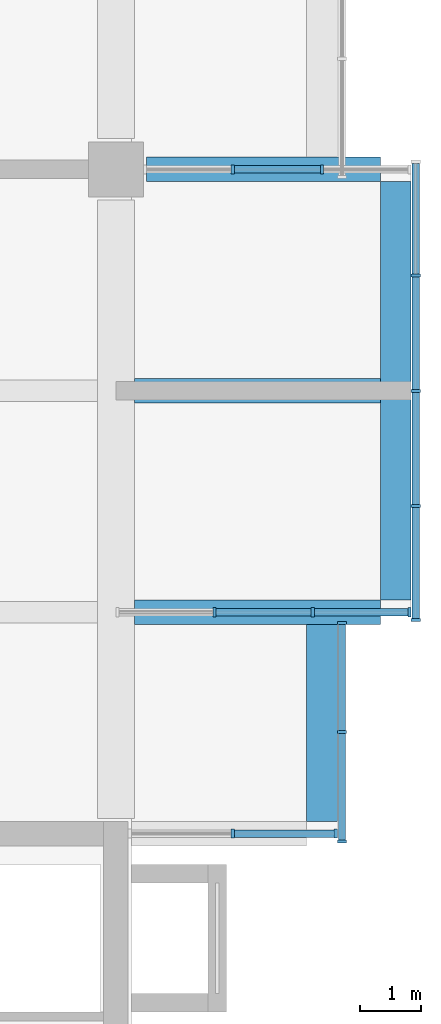
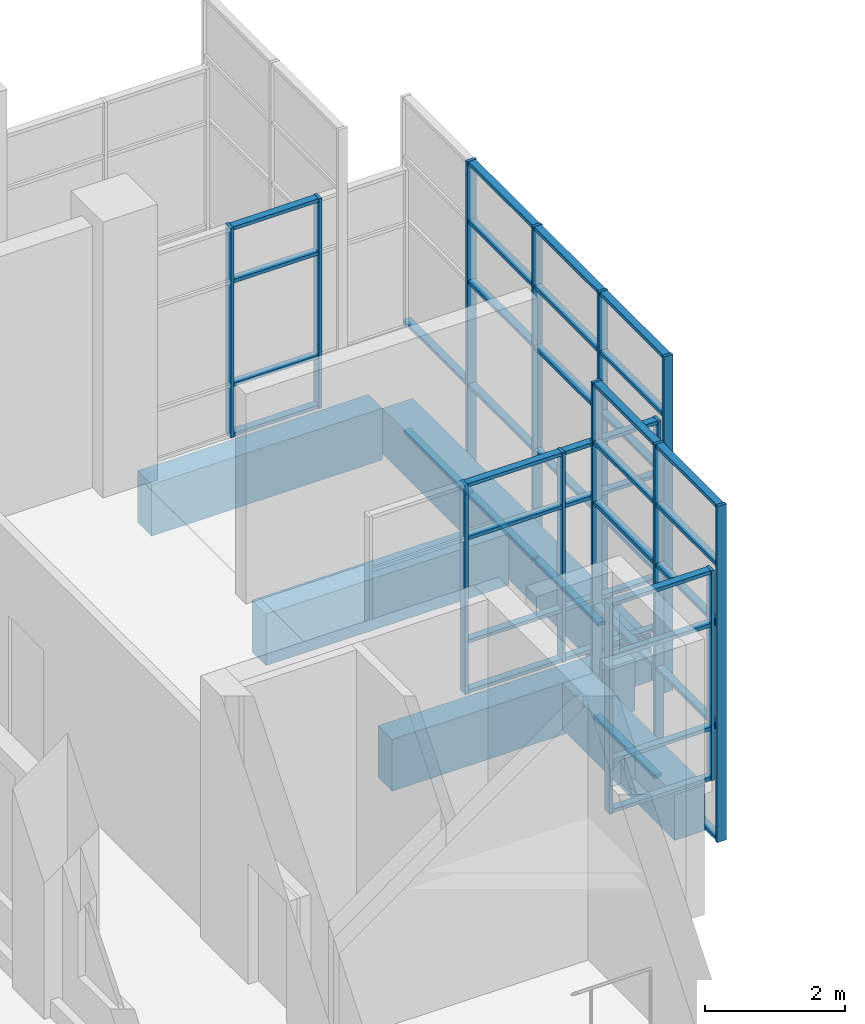
# One storey, part 15 of 32: 57 members, 6 beams, 5 elements without a shape of their own.
"""IFC4 building model written with IfcOpenShell, lengths in metres."""

from ifc_helpers import new_model, si_unit, direction, frame, origin, origin_2d, place, context, subcontext, project, spatial, rectangle, extrude, material, layer, layer_set, material_profile, profile_set, type_object, element, aggregate, save


model = new_model("IFC4")

# Units and contexts
model_context = context("Model", 3, precision=1e-05, world=origin(), true_north=direction((0.0, 1.0)))
body_context = subcontext(model_context, "Body", "Model", "MODEL_VIEW")
ifc_project = project(units=[si_unit("LENGTHUNIT", "METRE"), si_unit("AREAUNIT", "SQUARE_METRE"), si_unit("VOLUMEUNIT", "CUBIC_METRE"), si_unit("PLANEANGLEUNIT", "RADIAN"), si_unit("MASSUNIT", "GRAM", prefix="KILO")], contexts=[model_context])

# Site, building, storey
site_placement = place(None, origin())
site = spatial("IfcSite", under=ifc_project, at=site_placement, CompositionType="ELEMENT")
building_placement = place(site_placement, origin())
building = spatial("IfcBuilding", under=site, at=building_placement, Name="Basin Gate Institute", CompositionType="ELEMENT")
storey_placement = place(building_placement, frame((0.0, 0.0, 41.39990234375)))
storey = spatial("IfcBuildingStorey", under=building, at=storey_placement, Name="L08", CompositionType="ELEMENT", Elevation=41.39990234375)

# Beams
ifc_material_1 = material(Name="Concrete 50 MPa", Category="concrete")
ifc_material_profile_1 = material_profile(ifc_material_1, rectangle(XDim=0.39990234375, YDim=0.89990234375, at=origin_2d()), Name="Cantilever beam B3 400 x 900")
ifc_profile_set_1 = profile_set([ifc_material_profile_1], Name="Concrete 50 MPa")
beam_type_1 = type_object("IfcBeamType", Name="Cantilever beam B3 R120", PredefinedType="BEAM", material=ifc_profile_set_1)
for number, where, z_axis, x_axis, name in (
    (1, (123.10009765625, 49.5, -0.699951171875), (-1.0, 0.0, 0.0), (0.0, -1.0, 0.0), "BEAM/L08/E/CANT/05"),
    (2, (123.10009765625, 53.10009765625, -0.699951171875), (-1.0, 0.0, 0.0), (0.0, -1.0, 0.0), "BEAM/L08/E/CANT/06"),
):
    element("IfcBeam", number, at=place(storey_placement, frame(where, z_axis=z_axis, x_axis=x_axis)), inside=storey, type_object=beam_type_1, material=ifc_profile_set_1, Name=name, PredefinedType="BEAM", context=body_context, shape_type="SweptSolid", body=[
        extrude(rectangle(XDim=0.39990234375, YDim=0.89990234375, at=origin_2d()), origin(), (0.0, 0.0, 1.0), 4.0),
    ])
beam_1_placement = place(storey_placement, frame((123.10009765625, 56.699951171875, -0.699951171875), z_axis=(-1.0, 0.0, 0.0), x_axis=(0.0, -1.0, 0.0)))
element("IfcBeam", 3, at=beam_1_placement, inside=storey, type_object=beam_type_1, material=ifc_profile_set_1, Name="BEAM/L08/E/CANT/07", PredefinedType="BEAM", context=body_context, shape_type="SweptSolid", body=[
    extrude(rectangle(XDim=0.39990234375, YDim=0.89990234375, at=origin_2d()), origin(), (0.0, 0.0, 1.0), 3.800048828125),
])

# Curtain wall, members
ifc_material_2 = material(Name="Aluminium-framed glazing", Category="aluminium")
ifc_layer = layer(ifc_material_2, 0.14990234375)
ifc_layer_set = layer_set([ifc_layer], Name="Capsule front curtain wall CW1")
curtain_wall_type = type_object("IfcCurtainWallType", Name="Capsule front curtain wall CW1", PredefinedType="NOTDEFINED", material=ifc_layer_set)
curtain_wall_1_placement = place(storey_placement, origin())
curtain_wall_1 = element("IfcCurtainWall", 4, at=curtain_wall_1_placement, inside=storey, type_object=curtain_wall_type, material=ifc_layer_set, Name="Capsule front curtain wall E wing capsule end L08 line 4", PredefinedType="NOTDEFINED")
ifc_material_3 = material(Name="Aluminium", Category="aluminium")
ifc_material_profile_2 = material_profile(ifc_material_3, rectangle(XDim=0.14990234375, YDim=0.050048828125, at=origin_2d()), Name="Mullion MU1 150 x 50")
ifc_profile_set_2 = profile_set([ifc_material_profile_2], Name="Aluminium")
member_type_1 = type_object("IfcMemberType", Name="Mullion MU1", PredefinedType="MULLION", material=ifc_profile_set_2)
member_1_placement = place(storey_placement, frame((122.375, 45.89990234375, 0.0), z_axis=(0.0, 0.0, 1.0), x_axis=(0.0, -1.0, 0.0)))
member_1 = element("IfcMember", 5, at=member_1_placement, type_object=member_type_1, material=ifc_profile_set_2, Name="CW1 mullion 1", PredefinedType="MULLION", context=body_context, shape_type="SweptSolid", body=[
    extrude(rectangle(XDim=0.14990234375, YDim=0.050048828125, at=origin_2d()), origin(), (0.0, 0.0, 1.0), 3.650146484375),
])
member_2_placement = place(storey_placement, frame((120.699951171875, 45.89990234375, 0.0), z_axis=(0.0, 0.0, 1.0), x_axis=(0.0, -1.0, 0.0)))
member_2 = element("IfcMember", 6, at=member_2_placement, type_object=member_type_1, material=ifc_profile_set_2, Name="CW1 mullion 2", PredefinedType="MULLION", context=body_context, shape_type="SweptSolid", body=[
    extrude(rectangle(XDim=0.14990234375, YDim=0.050048828125, at=origin_2d()), origin(), (0.0, 0.0, 1.0), 3.650146484375),
])

curtain_wall_2_placement = place(storey_placement, origin())
curtain_wall_2 = element("IfcCurtainWall", 7, at=curtain_wall_2_placement, inside=storey, type_object=curtain_wall_type, material=ifc_layer_set, Name="Capsule front curtain wall E wing capsule end L08 line 5", PredefinedType="NOTDEFINED")
member_3_placement = place(storey_placement, frame((123.574951171875, 49.5, 0.0), z_axis=(0.0, 0.0, 1.0), x_axis=(0.0, -1.0, 0.0)))
member_3 = element("IfcMember", 8, at=member_3_placement, type_object=member_type_1, material=ifc_profile_set_2, Name="CW1 mullion 1", PredefinedType="MULLION", context=body_context, shape_type="SweptSolid", body=[
    extrude(rectangle(XDim=0.14990234375, YDim=0.050048828125, at=origin_2d()), origin(), (0.0, 0.0, 1.0), 3.650146484375),
])
member_4_placement = place(storey_placement, frame((122.0, 49.5, 0.0), z_axis=(0.0, 0.0, 1.0), x_axis=(0.0, -1.0, 0.0)))
member_4 = element("IfcMember", 9, at=member_4_placement, type_object=member_type_1, material=ifc_profile_set_2, Name="CW1 mullion 2", PredefinedType="MULLION", context=body_context, shape_type="SweptSolid", body=[
    extrude(rectangle(XDim=0.14990234375, YDim=0.050048828125, at=origin_2d()), origin(), (0.0, 0.0, 1.0), 3.650146484375),
])
member_5_placement = place(storey_placement, frame((120.39990234375, 49.5, 0.0), z_axis=(0.0, 0.0, 1.0), x_axis=(0.0, -1.0, 0.0)))
member_5 = element("IfcMember", 10, at=member_5_placement, type_object=member_type_1, material=ifc_profile_set_2, Name="CW1 mullion 3", PredefinedType="MULLION", context=body_context, shape_type="SweptSolid", body=[
    extrude(rectangle(XDim=0.14990234375, YDim=0.050048828125, at=origin_2d()), origin(), (0.0, 0.0, 1.0), 3.650146484375),
])

curtain_wall_3_placement = place(storey_placement, origin())
curtain_wall_3 = element("IfcCurtainWall", 11, at=curtain_wall_3_placement, inside=storey, type_object=curtain_wall_type, material=ifc_layer_set, Name="Capsule front curtain wall E wing capsule end L08 line 7", PredefinedType="NOTDEFINED")
member_6_placement = place(storey_placement, frame((122.14990234375, 56.699951171875, 0.0), z_axis=(0.0, 0.0, 1.0), x_axis=(0.0, -1.0, 0.0)))
member_6 = element("IfcMember", 12, at=member_6_placement, type_object=member_type_1, material=ifc_profile_set_2, Name="CW1 mullion 2", PredefinedType="MULLION", context=body_context, shape_type="SweptSolid", body=[
    extrude(rectangle(XDim=0.14990234375, YDim=0.050048828125, at=origin_2d()), origin(), (0.0, 0.0, 1.0), 3.650146484375),
])
member_7_placement = place(storey_placement, frame((120.699951171875, 56.699951171875, 0.0), z_axis=(0.0, 0.0, 1.0), x_axis=(0.0, -1.0, 0.0)))
member_7 = element("IfcMember", 13, at=member_7_placement, type_object=member_type_1, material=ifc_profile_set_2, Name="CW1 mullion 3", PredefinedType="MULLION", context=body_context, shape_type="SweptSolid", body=[
    extrude(rectangle(XDim=0.14990234375, YDim=0.050048828125, at=origin_2d()), origin(), (0.0, 0.0, 1.0), 3.650146484375),
])

curtain_wall_4_placement = place(storey_placement, origin())
curtain_wall_4 = element("IfcCurtainWall", 14, at=curtain_wall_4_placement, inside=storey, type_object=curtain_wall_type, material=ifc_layer_set, Name="Capsule front curtain wall E wing capsule 1 L08 front 1", PredefinedType="NOTDEFINED")
member_8_placement = place(storey_placement, frame((122.47509765625, 45.77490234375, -1.0498046875), z_axis=(0.0, 0.0, 1.0), x_axis=(-1.0, 0.0, 0.0)))
member_8 = element("IfcMember", 15, at=member_8_placement, type_object=member_type_1, material=ifc_profile_set_2, Name="CW1 mullion 1", PredefinedType="MULLION", context=body_context, shape_type="SweptSolid", body=[
    extrude(rectangle(XDim=0.14990234375, YDim=0.050048828125, at=origin_2d()), origin(), (0.0, 0.0, 1.0), 5.849853515625),
])
member_9_placement = place(storey_placement, frame((122.47509765625, 47.550048828125, -1.0498046875), z_axis=(0.0, 0.0, 1.0), x_axis=(-1.0, 0.0, 0.0)))
member_9 = element("IfcMember", 16, at=member_9_placement, type_object=member_type_1, material=ifc_profile_set_2, Name="CW1 mullion 2", PredefinedType="MULLION", context=body_context, shape_type="SweptSolid", body=[
    extrude(rectangle(XDim=0.14990234375, YDim=0.050048828125, at=origin_2d()), origin(), (0.0, 0.0, 1.0), 5.849853515625),
])
member_10_placement = place(storey_placement, frame((122.47509765625, 49.324951171875, -1.0498046875), z_axis=(0.0, 0.0, 1.0), x_axis=(-1.0, 0.0, 0.0)))
member_10 = element("IfcMember", 17, at=member_10_placement, type_object=member_type_1, material=ifc_profile_set_2, Name="CW1 mullion 3", PredefinedType="MULLION", context=body_context, shape_type="SweptSolid", body=[
    extrude(rectangle(XDim=0.14990234375, YDim=0.050048828125, at=origin_2d()), origin(), (0.0, 0.0, 1.0), 5.849853515625),
])

curtain_wall_5_placement = place(storey_placement, origin())
curtain_wall_5 = element("IfcCurtainWall", 18, at=curtain_wall_5_placement, inside=storey, type_object=curtain_wall_type, material=ifc_layer_set, Name="Capsule front curtain wall E wing capsule 1 L08 front 2", PredefinedType="NOTDEFINED")
member_11_placement = place(storey_placement, frame((123.675048828125, 49.375, -1.0498046875), z_axis=(0.0, 0.0, 1.0), x_axis=(-1.0, 0.0, 0.0)))
member_11 = element("IfcMember", 19, at=member_11_placement, type_object=member_type_1, material=ifc_profile_set_2, Name="CW1 mullion 1", PredefinedType="MULLION", context=body_context, shape_type="SweptSolid", body=[
    extrude(rectangle(XDim=0.14990234375, YDim=0.050048828125, at=origin_2d()), origin(), (0.0, 0.0, 1.0), 5.849853515625),
])
member_12_placement = place(storey_placement, frame((123.675048828125, 51.22509765625, -1.0498046875), z_axis=(0.0, 0.0, 1.0), x_axis=(-1.0, 0.0, 0.0)))
member_12 = element("IfcMember", 20, at=member_12_placement, type_object=member_type_1, material=ifc_profile_set_2, Name="CW1 mullion 2", PredefinedType="MULLION", context=body_context, shape_type="SweptSolid", body=[
    extrude(rectangle(XDim=0.14990234375, YDim=0.050048828125, at=origin_2d()), origin(), (0.0, 0.0, 1.0), 5.849853515625),
])
member_13_placement = place(storey_placement, frame((123.675048828125, 53.10009765625, -1.0498046875), z_axis=(0.0, 0.0, 1.0), x_axis=(-1.0, 0.0, 0.0)))
member_13 = element("IfcMember", 21, at=member_13_placement, type_object=member_type_1, material=ifc_profile_set_2, Name="CW1 mullion 3", PredefinedType="MULLION", context=body_context, shape_type="SweptSolid", body=[
    extrude(rectangle(XDim=0.14990234375, YDim=0.050048828125, at=origin_2d()), origin(), (0.0, 0.0, 1.0), 5.849853515625),
])
member_14_placement = place(storey_placement, frame((123.675048828125, 54.97509765625, -1.0498046875), z_axis=(0.0, 0.0, 1.0), x_axis=(-1.0, 0.0, 0.0)))
member_14 = element("IfcMember", 22, at=member_14_placement, type_object=member_type_1, material=ifc_profile_set_2, Name="CW1 mullion 4", PredefinedType="MULLION", context=body_context, shape_type="SweptSolid", body=[
    extrude(rectangle(XDim=0.14990234375, YDim=0.050048828125, at=origin_2d()), origin(), (0.0, 0.0, 1.0), 5.849853515625),
])

# Beams
ifc_material_4 = material(Name="Concrete 50 MPa", Category="concrete")
ifc_material_profile_3 = material_profile(ifc_material_4, rectangle(XDim=0.5, YDim=0.800048828125, at=origin_2d()), Name="Tip beam TB1 500 x 800")
ifc_profile_set_3 = profile_set([ifc_material_profile_3], Name="Concrete 50 MPa")
beam_type_2 = type_object("IfcBeamType", Name="Tip beam TB1 R120", PredefinedType="SPANDREL", material=ifc_profile_set_3)
beam_2_placement = place(storey_placement, frame((122.14990234375, 46.10009765625, -0.64990234375), z_axis=(0.0, 1.0, 0.0), x_axis=(-1.0, 0.0, 0.0)))
element("IfcBeam", 23, at=beam_2_placement, inside=storey, type_object=beam_type_2, material=ifc_profile_set_3, Name="BEAM/L08/E/TIP/1", PredefinedType="SPANDREL", context=body_context, shape_type="SweptSolid", body=[
    extrude(rectangle(XDim=0.5, YDim=0.800048828125, at=origin_2d()), origin(), (0.0, 0.0, 1.0), 3.199951171875),
])
beam_3_placement = place(storey_placement, frame((123.35009765625, 49.699951171875, -0.64990234375), z_axis=(0.0, 1.0, 0.0), x_axis=(-1.0, 0.0, 0.0)))
element("IfcBeam", 24, at=beam_3_placement, inside=storey, type_object=beam_type_2, material=ifc_profile_set_3, Name="BEAM/L08/E/TIP/2", PredefinedType="SPANDREL", context=body_context, shape_type="SweptSolid", body=[
    extrude(rectangle(XDim=0.5, YDim=0.800048828125, at=origin_2d()), origin(), (0.0, 0.0, 1.0), 3.400146484375),
])
beam_4_placement = place(storey_placement, frame((123.35009765625, 53.10009765625, -0.64990234375), z_axis=(0.0, 1.0, 0.0), x_axis=(-1.0, 0.0, 0.0)))
element("IfcBeam", 25, at=beam_4_placement, inside=storey, type_object=beam_type_2, material=ifc_profile_set_3, Name="BEAM/L08/E/TIP/3", PredefinedType="SPANDREL", context=body_context, shape_type="SweptSolid", body=[
    extrude(rectangle(XDim=0.5, YDim=0.800048828125, at=origin_2d()), origin(), (0.0, 0.0, 1.0), 3.39990234375),
])

# Member
ifc_material_5 = material(Name="Aluminium", Category="aluminium")
ifc_material_profile_4 = material_profile(ifc_material_5, rectangle(XDim=0.1201171875, YDim=0.06005859375, at=origin_2d()), Name="Transom TR1 120 x 60")
ifc_profile_set_4 = profile_set([ifc_material_profile_4], Name="Aluminium")
member_type_2 = type_object("IfcMemberType", Name="Transom TR1", PredefinedType="USERDEFINED", material=ifc_profile_set_4)
member_15_placement = place(storey_placement, frame((122.35009765625, 45.89990234375, 0.030029296875), z_axis=(-1.0, 0.0, 0.0), x_axis=(0.0, -1.0, 0.0)))
member_15 = element("IfcMember", 26, at=member_15_placement, type_object=member_type_2, material=ifc_profile_set_4, Name="CW1 transom 1.1", ObjectType="TRANSOM", PredefinedType="USERDEFINED", context=body_context, shape_type="SweptSolid", body=[
    extrude(rectangle(XDim=0.1201171875, YDim=0.06005859375, at=origin_2d()), origin(), (0.0, 0.0, 1.0), 1.625),
])

member_16_placement = place(storey_placement, frame((122.35009765625, 45.89990234375, 0.900146484375), z_axis=(-1.0, 0.0, 0.0), x_axis=(0.0, -1.0, 0.0)))
member_16 = element("IfcMember", 27, at=member_16_placement, type_object=member_type_2, material=ifc_profile_set_4, Name="CW1 transom 1.2", ObjectType="TRANSOM", PredefinedType="USERDEFINED", context=body_context, shape_type="SweptSolid", body=[
    extrude(rectangle(XDim=0.1201171875, YDim=0.06005859375, at=origin_2d()), origin(), (0.0, 0.0, 1.0), 1.625),
])

member_17_placement = place(storey_placement, frame((122.35009765625, 45.89990234375, 2.7001953125), z_axis=(-1.0, 0.0, 0.0), x_axis=(0.0, -1.0, 0.0)))
member_17 = element("IfcMember", 28, at=member_17_placement, type_object=member_type_2, material=ifc_profile_set_4, Name="CW1 transom 1.3", ObjectType="TRANSOM", PredefinedType="USERDEFINED", context=body_context, shape_type="SweptSolid", body=[
    extrude(rectangle(XDim=0.1201171875, YDim=0.06005859375, at=origin_2d()), origin(), (0.0, 0.0, 1.0), 1.625),
])

member_18_placement = place(storey_placement, frame((122.35009765625, 45.89990234375, 3.6201171875), z_axis=(-1.0, 0.0, 0.0), x_axis=(0.0, -1.0, 0.0)))
member_18 = element("IfcMember", 29, at=member_18_placement, type_object=member_type_2, material=ifc_profile_set_4, Name="CW1 transom 1.4", ObjectType="TRANSOM", PredefinedType="USERDEFINED", context=body_context, shape_type="SweptSolid", body=[
    extrude(rectangle(XDim=0.1201171875, YDim=0.06005859375, at=origin_2d()), origin(), (0.0, 0.0, 1.0), 1.625),
])

aggregate(curtain_wall_1, [member_1, member_2, member_15, member_16, member_17, member_18])

member_19_placement = place(storey_placement, frame((123.550048828125, 49.5, 0.030029296875), z_axis=(-1.0, 0.0, 0.0), x_axis=(0.0, -1.0, 0.0)))
member_19 = element("IfcMember", 30, at=member_19_placement, type_object=member_type_2, material=ifc_profile_set_4, Name="CW1 transom 1.1", ObjectType="TRANSOM", PredefinedType="USERDEFINED", context=body_context, shape_type="SweptSolid", body=[
    extrude(rectangle(XDim=0.1201171875, YDim=0.06005859375, at=origin_2d()), origin(), (0.0, 0.0, 1.0), 1.525146484375),
])

member_20_placement = place(storey_placement, frame((123.550048828125, 49.5, 0.900146484375), z_axis=(-1.0, 0.0, 0.0), x_axis=(0.0, -1.0, 0.0)))
member_20 = element("IfcMember", 31, at=member_20_placement, type_object=member_type_2, material=ifc_profile_set_4, Name="CW1 transom 1.2", ObjectType="TRANSOM", PredefinedType="USERDEFINED", context=body_context, shape_type="SweptSolid", body=[
    extrude(rectangle(XDim=0.1201171875, YDim=0.06005859375, at=origin_2d()), origin(), (0.0, 0.0, 1.0), 1.525146484375),
])

member_21_placement = place(storey_placement, frame((123.550048828125, 49.5, 2.7001953125), z_axis=(-1.0, 0.0, 0.0), x_axis=(0.0, -1.0, 0.0)))
member_21 = element("IfcMember", 32, at=member_21_placement, type_object=member_type_2, material=ifc_profile_set_4, Name="CW1 transom 1.3", ObjectType="TRANSOM", PredefinedType="USERDEFINED", context=body_context, shape_type="SweptSolid", body=[
    extrude(rectangle(XDim=0.1201171875, YDim=0.06005859375, at=origin_2d()), origin(), (0.0, 0.0, 1.0), 1.525146484375),
])

member_22_placement = place(storey_placement, frame((123.550048828125, 49.5, 3.6201171875), z_axis=(-1.0, 0.0, 0.0), x_axis=(0.0, -1.0, 0.0)))
member_22 = element("IfcMember", 33, at=member_22_placement, type_object=member_type_2, material=ifc_profile_set_4, Name="CW1 transom 1.4", ObjectType="TRANSOM", PredefinedType="USERDEFINED", context=body_context, shape_type="SweptSolid", body=[
    extrude(rectangle(XDim=0.1201171875, YDim=0.06005859375, at=origin_2d()), origin(), (0.0, 0.0, 1.0), 1.525146484375),
])

member_23_placement = place(storey_placement, frame((121.97509765625, 49.5, 0.030029296875), z_axis=(-1.0, 0.0, 0.0), x_axis=(0.0, -1.0, 0.0)))
member_23 = element("IfcMember", 34, at=member_23_placement, type_object=member_type_2, material=ifc_profile_set_4, Name="CW1 transom 2.1", ObjectType="TRANSOM", PredefinedType="USERDEFINED", context=body_context, shape_type="SweptSolid", body=[
    extrude(rectangle(XDim=0.1201171875, YDim=0.06005859375, at=origin_2d()), origin(), (0.0, 0.0, 1.0), 1.550048828125),
])

member_24_placement = place(storey_placement, frame((121.97509765625, 49.5, 0.900146484375), z_axis=(-1.0, 0.0, 0.0), x_axis=(0.0, -1.0, 0.0)))
member_24 = element("IfcMember", 35, at=member_24_placement, type_object=member_type_2, material=ifc_profile_set_4, Name="CW1 transom 2.2", ObjectType="TRANSOM", PredefinedType="USERDEFINED", context=body_context, shape_type="SweptSolid", body=[
    extrude(rectangle(XDim=0.1201171875, YDim=0.06005859375, at=origin_2d()), origin(), (0.0, 0.0, 1.0), 1.550048828125),
])

member_25_placement = place(storey_placement, frame((121.97509765625, 49.5, 2.7001953125), z_axis=(-1.0, 0.0, 0.0), x_axis=(0.0, -1.0, 0.0)))
member_25 = element("IfcMember", 36, at=member_25_placement, type_object=member_type_2, material=ifc_profile_set_4, Name="CW1 transom 2.3", ObjectType="TRANSOM", PredefinedType="USERDEFINED", context=body_context, shape_type="SweptSolid", body=[
    extrude(rectangle(XDim=0.1201171875, YDim=0.06005859375, at=origin_2d()), origin(), (0.0, 0.0, 1.0), 1.550048828125),
])

member_26_placement = place(storey_placement, frame((121.97509765625, 49.5, 3.6201171875), z_axis=(-1.0, 0.0, 0.0), x_axis=(0.0, -1.0, 0.0)))
member_26 = element("IfcMember", 37, at=member_26_placement, type_object=member_type_2, material=ifc_profile_set_4, Name="CW1 transom 2.4", ObjectType="TRANSOM", PredefinedType="USERDEFINED", context=body_context, shape_type="SweptSolid", body=[
    extrude(rectangle(XDim=0.1201171875, YDim=0.06005859375, at=origin_2d()), origin(), (0.0, 0.0, 1.0), 1.550048828125),
])

aggregate(curtain_wall_2, [member_3, member_4, member_5, member_19, member_20, member_21, member_22, member_23, member_24, member_25, member_26])

member_27_placement = place(storey_placement, frame((122.125, 56.699951171875, 0.030029296875), z_axis=(-1.0, 0.0, 0.0), x_axis=(0.0, -1.0, 0.0)))
member_27 = element("IfcMember", 38, at=member_27_placement, type_object=member_type_2, material=ifc_profile_set_4, Name="CW1 transom 2.1", ObjectType="TRANSOM", PredefinedType="USERDEFINED", context=body_context, shape_type="SweptSolid", body=[
    extrude(rectangle(XDim=0.1201171875, YDim=0.06005859375, at=origin_2d()), origin(), (0.0, 0.0, 1.0), 1.39990234375),
])

member_28_placement = place(storey_placement, frame((122.125, 56.699951171875, 0.900146484375), z_axis=(-1.0, 0.0, 0.0), x_axis=(0.0, -1.0, 0.0)))
member_28 = element("IfcMember", 39, at=member_28_placement, type_object=member_type_2, material=ifc_profile_set_4, Name="CW1 transom 2.2", ObjectType="TRANSOM", PredefinedType="USERDEFINED", context=body_context, shape_type="SweptSolid", body=[
    extrude(rectangle(XDim=0.1201171875, YDim=0.06005859375, at=origin_2d()), origin(), (0.0, 0.0, 1.0), 1.39990234375),
])

member_29_placement = place(storey_placement, frame((122.125, 56.699951171875, 2.7001953125), z_axis=(-1.0, 0.0, 0.0), x_axis=(0.0, -1.0, 0.0)))
member_29 = element("IfcMember", 40, at=member_29_placement, type_object=member_type_2, material=ifc_profile_set_4, Name="CW1 transom 2.3", ObjectType="TRANSOM", PredefinedType="USERDEFINED", context=body_context, shape_type="SweptSolid", body=[
    extrude(rectangle(XDim=0.1201171875, YDim=0.06005859375, at=origin_2d()), origin(), (0.0, 0.0, 1.0), 1.39990234375),
])

member_30_placement = place(storey_placement, frame((122.125, 56.699951171875, 3.6201171875), z_axis=(-1.0, 0.0, 0.0), x_axis=(0.0, -1.0, 0.0)))
member_30 = element("IfcMember", 41, at=member_30_placement, type_object=member_type_2, material=ifc_profile_set_4, Name="CW1 transom 2.4", ObjectType="TRANSOM", PredefinedType="USERDEFINED", context=body_context, shape_type="SweptSolid", body=[
    extrude(rectangle(XDim=0.1201171875, YDim=0.06005859375, at=origin_2d()), origin(), (0.0, 0.0, 1.0), 1.39990234375),
])

aggregate(curtain_wall_3, [member_6, member_7, member_27, member_28, member_29, member_30])

member_31_placement = place(storey_placement, frame((122.47509765625, 45.800048828125, -1.02001953125), z_axis=(0.0, 1.0, 0.0), x_axis=(-1.0, 0.0, 0.0)))
member_31 = element("IfcMember", 42, at=member_31_placement, type_object=member_type_2, material=ifc_profile_set_4, Name="CW1 transom 1.1", ObjectType="TRANSOM", PredefinedType="USERDEFINED", context=body_context, shape_type="SweptSolid", body=[
    extrude(rectangle(XDim=0.1201171875, YDim=0.06005859375, at=origin_2d()), origin(), (0.0, 0.0, 1.0), 1.724853515625),
])

member_32_placement = place(storey_placement, frame((122.47509765625, 45.800048828125, 0.900146484375), z_axis=(0.0, 1.0, 0.0), x_axis=(-1.0, 0.0, 0.0)))
member_32 = element("IfcMember", 43, at=member_32_placement, type_object=member_type_2, material=ifc_profile_set_4, Name="CW1 transom 1.2", ObjectType="TRANSOM", PredefinedType="USERDEFINED", context=body_context, shape_type="SweptSolid", body=[
    extrude(rectangle(XDim=0.1201171875, YDim=0.06005859375, at=origin_2d()), origin(), (0.0, 0.0, 1.0), 1.724853515625),
])

member_33_placement = place(storey_placement, frame((122.47509765625, 45.800048828125, 2.7001953125), z_axis=(0.0, 1.0, 0.0), x_axis=(-1.0, 0.0, 0.0)))
member_33 = element("IfcMember", 44, at=member_33_placement, type_object=member_type_2, material=ifc_profile_set_4, Name="CW1 transom 1.3", ObjectType="TRANSOM", PredefinedType="USERDEFINED", context=body_context, shape_type="SweptSolid", body=[
    extrude(rectangle(XDim=0.1201171875, YDim=0.06005859375, at=origin_2d()), origin(), (0.0, 0.0, 1.0), 1.724853515625),
])

member_34_placement = place(storey_placement, frame((122.47509765625, 45.800048828125, 3.75), z_axis=(0.0, 1.0, 0.0), x_axis=(-1.0, 0.0, 0.0)))
member_34 = element("IfcMember", 45, at=member_34_placement, type_object=member_type_2, material=ifc_profile_set_4, Name="CW1 transom 1.4", ObjectType="TRANSOM", PredefinedType="USERDEFINED", context=body_context, shape_type="SweptSolid", body=[
    extrude(rectangle(XDim=0.1201171875, YDim=0.06005859375, at=origin_2d()), origin(), (0.0, 0.0, 1.0), 1.724853515625),
])

member_35_placement = place(storey_placement, frame((122.47509765625, 45.800048828125, 4.77001953125), z_axis=(0.0, 1.0, 0.0), x_axis=(-1.0, 0.0, 0.0)))
member_35 = element("IfcMember", 46, at=member_35_placement, type_object=member_type_2, material=ifc_profile_set_4, Name="CW1 transom 1.5", ObjectType="TRANSOM", PredefinedType="USERDEFINED", context=body_context, shape_type="SweptSolid", body=[
    extrude(rectangle(XDim=0.1201171875, YDim=0.06005859375, at=origin_2d()), origin(), (0.0, 0.0, 1.0), 1.724853515625),
])

member_36_placement = place(storey_placement, frame((122.47509765625, 47.574951171875, -1.02001953125), z_axis=(0.0, 1.0, 0.0), x_axis=(-1.0, 0.0, 0.0)))
member_36 = element("IfcMember", 47, at=member_36_placement, type_object=member_type_2, material=ifc_profile_set_4, Name="CW1 transom 2.1", ObjectType="TRANSOM", PredefinedType="USERDEFINED", context=body_context, shape_type="SweptSolid", body=[
    extrude(rectangle(XDim=0.1201171875, YDim=0.06005859375, at=origin_2d()), origin(), (0.0, 0.0, 1.0), 1.72509765625),
])

member_37_placement = place(storey_placement, frame((122.47509765625, 47.574951171875, 0.900146484375), z_axis=(0.0, 1.0, 0.0), x_axis=(-1.0, 0.0, 0.0)))
member_37 = element("IfcMember", 48, at=member_37_placement, type_object=member_type_2, material=ifc_profile_set_4, Name="CW1 transom 2.2", ObjectType="TRANSOM", PredefinedType="USERDEFINED", context=body_context, shape_type="SweptSolid", body=[
    extrude(rectangle(XDim=0.1201171875, YDim=0.06005859375, at=origin_2d()), origin(), (0.0, 0.0, 1.0), 1.72509765625),
])

member_38_placement = place(storey_placement, frame((122.47509765625, 47.574951171875, 2.7001953125), z_axis=(0.0, 1.0, 0.0), x_axis=(-1.0, 0.0, 0.0)))
member_38 = element("IfcMember", 49, at=member_38_placement, type_object=member_type_2, material=ifc_profile_set_4, Name="CW1 transom 2.3", ObjectType="TRANSOM", PredefinedType="USERDEFINED", context=body_context, shape_type="SweptSolid", body=[
    extrude(rectangle(XDim=0.1201171875, YDim=0.06005859375, at=origin_2d()), origin(), (0.0, 0.0, 1.0), 1.72509765625),
])

member_39_placement = place(storey_placement, frame((122.47509765625, 47.574951171875, 3.75), z_axis=(0.0, 1.0, 0.0), x_axis=(-1.0, 0.0, 0.0)))
member_39 = element("IfcMember", 50, at=member_39_placement, type_object=member_type_2, material=ifc_profile_set_4, Name="CW1 transom 2.4", ObjectType="TRANSOM", PredefinedType="USERDEFINED", context=body_context, shape_type="SweptSolid", body=[
    extrude(rectangle(XDim=0.1201171875, YDim=0.06005859375, at=origin_2d()), origin(), (0.0, 0.0, 1.0), 1.72509765625),
])

member_40_placement = place(storey_placement, frame((122.47509765625, 47.574951171875, 4.77001953125), z_axis=(0.0, 1.0, 0.0), x_axis=(-1.0, 0.0, 0.0)))
member_40 = element("IfcMember", 51, at=member_40_placement, type_object=member_type_2, material=ifc_profile_set_4, Name="CW1 transom 2.5", ObjectType="TRANSOM", PredefinedType="USERDEFINED", context=body_context, shape_type="SweptSolid", body=[
    extrude(rectangle(XDim=0.1201171875, YDim=0.06005859375, at=origin_2d()), origin(), (0.0, 0.0, 1.0), 1.72509765625),
])

aggregate(curtain_wall_4, [member_8, member_9, member_10, member_31, member_32, member_33, member_34, member_35, member_36, member_37, member_38, member_39, member_40])

member_41_placement = place(storey_placement, frame((123.675048828125, 49.39990234375, -1.02001953125), z_axis=(0.0, 1.0, 0.0), x_axis=(-1.0, 0.0, 0.0)))
member_41 = element("IfcMember", 52, at=member_41_placement, type_object=member_type_2, material=ifc_profile_set_4, Name="CW1 transom 1.1", ObjectType="TRANSOM", PredefinedType="USERDEFINED", context=body_context, shape_type="SweptSolid", body=[
    extrude(rectangle(XDim=0.1201171875, YDim=0.06005859375, at=origin_2d()), origin(), (0.0, 0.0, 1.0), 1.800048828125),
])

member_42_placement = place(storey_placement, frame((123.675048828125, 49.39990234375, 0.900146484375), z_axis=(0.0, 1.0, 0.0), x_axis=(-1.0, 0.0, 0.0)))
member_42 = element("IfcMember", 53, at=member_42_placement, type_object=member_type_2, material=ifc_profile_set_4, Name="CW1 transom 1.2", ObjectType="TRANSOM", PredefinedType="USERDEFINED", context=body_context, shape_type="SweptSolid", body=[
    extrude(rectangle(XDim=0.1201171875, YDim=0.06005859375, at=origin_2d()), origin(), (0.0, 0.0, 1.0), 1.800048828125),
])

member_43_placement = place(storey_placement, frame((123.675048828125, 49.39990234375, 2.7001953125), z_axis=(0.0, 1.0, 0.0), x_axis=(-1.0, 0.0, 0.0)))
member_43 = element("IfcMember", 54, at=member_43_placement, type_object=member_type_2, material=ifc_profile_set_4, Name="CW1 transom 1.3", ObjectType="TRANSOM", PredefinedType="USERDEFINED", context=body_context, shape_type="SweptSolid", body=[
    extrude(rectangle(XDim=0.1201171875, YDim=0.06005859375, at=origin_2d()), origin(), (0.0, 0.0, 1.0), 1.800048828125),
])

member_44_placement = place(storey_placement, frame((123.675048828125, 49.39990234375, 3.75), z_axis=(0.0, 1.0, 0.0), x_axis=(-1.0, 0.0, 0.0)))
member_44 = element("IfcMember", 55, at=member_44_placement, type_object=member_type_2, material=ifc_profile_set_4, Name="CW1 transom 1.4", ObjectType="TRANSOM", PredefinedType="USERDEFINED", context=body_context, shape_type="SweptSolid", body=[
    extrude(rectangle(XDim=0.1201171875, YDim=0.06005859375, at=origin_2d()), origin(), (0.0, 0.0, 1.0), 1.800048828125),
])

member_45_placement = place(storey_placement, frame((123.675048828125, 49.39990234375, 4.77001953125), z_axis=(0.0, 1.0, 0.0), x_axis=(-1.0, 0.0, 0.0)))
member_45 = element("IfcMember", 56, at=member_45_placement, type_object=member_type_2, material=ifc_profile_set_4, Name="CW1 transom 1.5", ObjectType="TRANSOM", PredefinedType="USERDEFINED", context=body_context, shape_type="SweptSolid", body=[
    extrude(rectangle(XDim=0.1201171875, YDim=0.06005859375, at=origin_2d()), origin(), (0.0, 0.0, 1.0), 1.800048828125),
])

member_46_placement = place(storey_placement, frame((123.675048828125, 51.25, -1.02001953125), z_axis=(0.0, 1.0, 0.0), x_axis=(-1.0, 0.0, 0.0)))
member_46 = element("IfcMember", 57, at=member_46_placement, type_object=member_type_2, material=ifc_profile_set_4, Name="CW1 transom 2.1", ObjectType="TRANSOM", PredefinedType="USERDEFINED", context=body_context, shape_type="SweptSolid", body=[
    extrude(rectangle(XDim=0.1201171875, YDim=0.06005859375, at=origin_2d()), origin(), (0.0, 0.0, 1.0), 1.824951171875),
])

member_47_placement = place(storey_placement, frame((123.675048828125, 51.25, 0.900146484375), z_axis=(0.0, 1.0, 0.0), x_axis=(-1.0, 0.0, 0.0)))
member_47 = element("IfcMember", 58, at=member_47_placement, type_object=member_type_2, material=ifc_profile_set_4, Name="CW1 transom 2.2", ObjectType="TRANSOM", PredefinedType="USERDEFINED", context=body_context, shape_type="SweptSolid", body=[
    extrude(rectangle(XDim=0.1201171875, YDim=0.06005859375, at=origin_2d()), origin(), (0.0, 0.0, 1.0), 1.824951171875),
])

member_48_placement = place(storey_placement, frame((123.675048828125, 51.25, 2.7001953125), z_axis=(0.0, 1.0, 0.0), x_axis=(-1.0, 0.0, 0.0)))
member_48 = element("IfcMember", 59, at=member_48_placement, type_object=member_type_2, material=ifc_profile_set_4, Name="CW1 transom 2.3", ObjectType="TRANSOM", PredefinedType="USERDEFINED", context=body_context, shape_type="SweptSolid", body=[
    extrude(rectangle(XDim=0.1201171875, YDim=0.06005859375, at=origin_2d()), origin(), (0.0, 0.0, 1.0), 1.824951171875),
])

member_49_placement = place(storey_placement, frame((123.675048828125, 51.25, 3.75), z_axis=(0.0, 1.0, 0.0), x_axis=(-1.0, 0.0, 0.0)))
member_49 = element("IfcMember", 60, at=member_49_placement, type_object=member_type_2, material=ifc_profile_set_4, Name="CW1 transom 2.4", ObjectType="TRANSOM", PredefinedType="USERDEFINED", context=body_context, shape_type="SweptSolid", body=[
    extrude(rectangle(XDim=0.1201171875, YDim=0.06005859375, at=origin_2d()), origin(), (0.0, 0.0, 1.0), 1.824951171875),
])

member_50_placement = place(storey_placement, frame((123.675048828125, 51.25, 4.77001953125), z_axis=(0.0, 1.0, 0.0), x_axis=(-1.0, 0.0, 0.0)))
member_50 = element("IfcMember", 61, at=member_50_placement, type_object=member_type_2, material=ifc_profile_set_4, Name="CW1 transom 2.5", ObjectType="TRANSOM", PredefinedType="USERDEFINED", context=body_context, shape_type="SweptSolid", body=[
    extrude(rectangle(XDim=0.1201171875, YDim=0.06005859375, at=origin_2d()), origin(), (0.0, 0.0, 1.0), 1.824951171875),
])

member_51_placement = place(storey_placement, frame((123.675048828125, 53.125, -1.02001953125), z_axis=(0.0, 1.0, 0.0), x_axis=(-1.0, 0.0, 0.0)))
member_51 = element("IfcMember", 62, at=member_51_placement, type_object=member_type_2, material=ifc_profile_set_4, Name="CW1 transom 3.1", ObjectType="TRANSOM", PredefinedType="USERDEFINED", context=body_context, shape_type="SweptSolid", body=[
    extrude(rectangle(XDim=0.1201171875, YDim=0.06005859375, at=origin_2d()), origin(), (0.0, 0.0, 1.0), 1.824951171875),
])

member_52_placement = place(storey_placement, frame((123.675048828125, 53.125, 0.900146484375), z_axis=(0.0, 1.0, 0.0), x_axis=(-1.0, 0.0, 0.0)))
member_52 = element("IfcMember", 63, at=member_52_placement, type_object=member_type_2, material=ifc_profile_set_4, Name="CW1 transom 3.2", ObjectType="TRANSOM", PredefinedType="USERDEFINED", context=body_context, shape_type="SweptSolid", body=[
    extrude(rectangle(XDim=0.1201171875, YDim=0.06005859375, at=origin_2d()), origin(), (0.0, 0.0, 1.0), 1.824951171875),
])

member_53_placement = place(storey_placement, frame((123.675048828125, 53.125, 2.7001953125), z_axis=(0.0, 1.0, 0.0), x_axis=(-1.0, 0.0, 0.0)))
member_53 = element("IfcMember", 64, at=member_53_placement, type_object=member_type_2, material=ifc_profile_set_4, Name="CW1 transom 3.3", ObjectType="TRANSOM", PredefinedType="USERDEFINED", context=body_context, shape_type="SweptSolid", body=[
    extrude(rectangle(XDim=0.1201171875, YDim=0.06005859375, at=origin_2d()), origin(), (0.0, 0.0, 1.0), 1.824951171875),
])

member_54_placement = place(storey_placement, frame((123.675048828125, 53.125, 3.75), z_axis=(0.0, 1.0, 0.0), x_axis=(-1.0, 0.0, 0.0)))
member_54 = element("IfcMember", 65, at=member_54_placement, type_object=member_type_2, material=ifc_profile_set_4, Name="CW1 transom 3.4", ObjectType="TRANSOM", PredefinedType="USERDEFINED", context=body_context, shape_type="SweptSolid", body=[
    extrude(rectangle(XDim=0.1201171875, YDim=0.06005859375, at=origin_2d()), origin(), (0.0, 0.0, 1.0), 1.824951171875),
])

member_55_placement = place(storey_placement, frame((123.675048828125, 53.125, 4.77001953125), z_axis=(0.0, 1.0, 0.0), x_axis=(-1.0, 0.0, 0.0)))
member_55 = element("IfcMember", 66, at=member_55_placement, type_object=member_type_2, material=ifc_profile_set_4, Name="CW1 transom 3.5", ObjectType="TRANSOM", PredefinedType="USERDEFINED", context=body_context, shape_type="SweptSolid", body=[
    extrude(rectangle(XDim=0.1201171875, YDim=0.06005859375, at=origin_2d()), origin(), (0.0, 0.0, 1.0), 1.824951171875),
])

member_56_placement = place(storey_placement, frame((123.675048828125, 55.0, -1.02001953125), z_axis=(0.0, 1.0, 0.0), x_axis=(-1.0, 0.0, 0.0)))
member_56 = element("IfcMember", 67, at=member_56_placement, type_object=member_type_2, material=ifc_profile_set_4, Name="CW1 transom 4.1", ObjectType="TRANSOM", PredefinedType="USERDEFINED", context=body_context, shape_type="SweptSolid", body=[
    extrude(rectangle(XDim=0.1201171875, YDim=0.06005859375, at=origin_2d()), origin(), (0.0, 0.0, 1.0), 1.800048828125),
])

member_57_placement = place(storey_placement, frame((123.675048828125, 55.0, 0.900146484375), z_axis=(0.0, 1.0, 0.0), x_axis=(-1.0, 0.0, 0.0)))
member_57 = element("IfcMember", 68, at=member_57_placement, type_object=member_type_2, material=ifc_profile_set_4, Name="CW1 transom 4.2", ObjectType="TRANSOM", PredefinedType="USERDEFINED", context=body_context, shape_type="SweptSolid", body=[
    extrude(rectangle(XDim=0.1201171875, YDim=0.06005859375, at=origin_2d()), origin(), (0.0, 0.0, 1.0), 1.800048828125),
])

aggregate(curtain_wall_5, [member_11, member_12, member_13, member_14, member_41, member_42, member_43, member_44, member_45, member_46, member_47, member_48, member_49, member_50, member_51, member_52, member_53, member_54, member_55, member_56, member_57])

save(model, "model.ifc")
